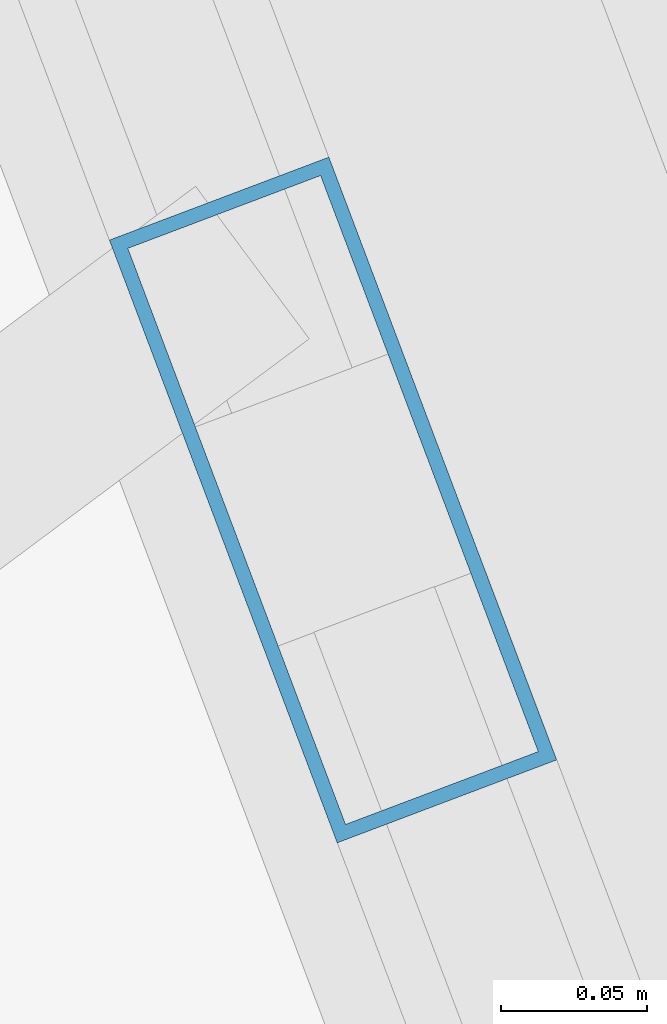
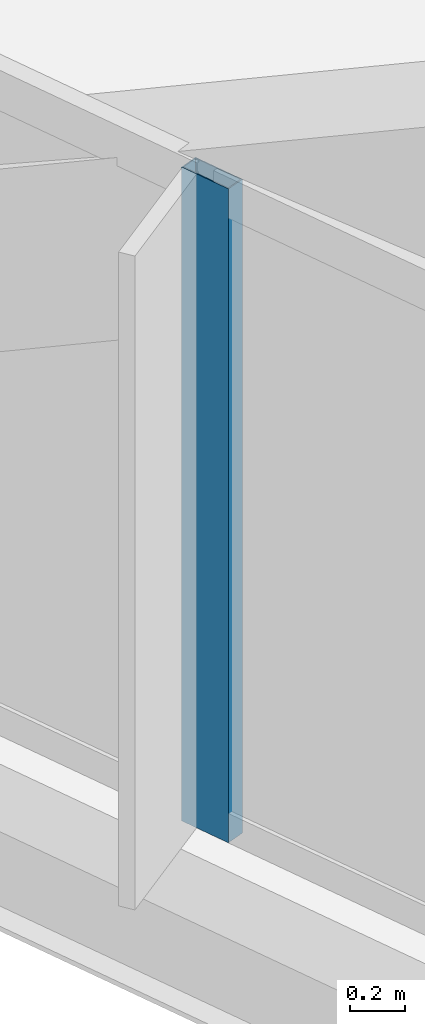
# One storey, part 5 of 37: 1 member, 1 element without a shape of its own.
"""IFC4 building model written with IfcOpenShell, lengths in metres."""

from ifc_helpers import new_model, si_unit, direction, frame, origin, origin_2d, place, context, subcontext, project, spatial, hollow_rectangle, extrude, material, material_profile, profile_set, type_object, element, aggregate, save


model = new_model("IFC4")

# Units and contexts
model_context = context("Model", 3, precision=1e-05, world=origin(), true_north=direction((0.0, 1.0)))
body_context = subcontext(model_context, "Body", "Model", "MODEL_VIEW")
ifc_project = project(units=[si_unit("LENGTHUNIT", "METRE"), si_unit("AREAUNIT", "SQUARE_METRE"), si_unit("VOLUMEUNIT", "CUBIC_METRE"), si_unit("PLANEANGLEUNIT", "RADIAN"), si_unit("MASSUNIT", "GRAM", prefix="KILO")], contexts=[model_context])

# Site, building, storey
site_placement = place(None, origin())
site = spatial("IfcSite", under=ifc_project, at=site_placement, CompositionType="ELEMENT")
building_placement = place(site_placement, origin())
building = spatial("IfcBuilding", under=site, at=building_placement, Name="Haldenkirk Collegiate Tower", CompositionType="ELEMENT")
storey_placement = place(building_placement, frame((0.0, 0.0, 97.949951171875)))
storey = spatial("IfcBuildingStorey", under=building, at=storey_placement, Name="L23", CompositionType="ELEMENT", Elevation=97.949951171875)

# Curtain wall, member
ifc_material = material(Name="Anodised architectural bronze aluminium", Category="aluminium")
curtain_wall_type = type_object("IfcCurtainWallType", Name="CW-SYS1-CONVEX-LOW", PredefinedType="USERDEFINED", material=ifc_material)
curtain_wall_placement = place(storey_placement, origin())
curtain_wall = element("IfcCurtainWall", 1, at=curtain_wall_placement, inside=storey, type_object=curtain_wall_type, Name="L23 Lower tower convex bronze-framed unitised curtain wall", ObjectType="UNITISED CURTAIN WALL", PredefinedType="USERDEFINED")
ifc_material_profile = material_profile(ifc_material, hollow_rectangle(XDim=0.080078125, YDim=0.219970703125, WallThickness=0.0048828125, at=origin_2d()), Name="CW-MUL-1A")
ifc_profile_set = profile_set([ifc_material_profile], Name="Anodised architectural bronze aluminium")
member_type = type_object("IfcMemberType", Name="CW-MUL-1A", PredefinedType="MULLION", material=ifc_profile_set)
member_placement = place(storey_placement, frame((11.6826171875, 17.02490234375, 0.0), z_axis=(0.0, 0.0, 1.0), x_axis=(-0.93544328227, -0.35347682478, 0.0)))
member = element("IfcMember", 2, at=member_placement, type_object=member_type, Name="CW-1A mullion 3", PredefinedType="MULLION", context=body_context, shape_type="SweptSolid", body=[
    extrude(hollow_rectangle(XDim=0.080078125, YDim=0.219970703125, WallThickness=0.0048828125, at=origin_2d()), origin(), (0.0, 0.0, 1.0), 2.901123046875),
])
aggregate(curtain_wall, [member])

save(model, "model.ifc")
